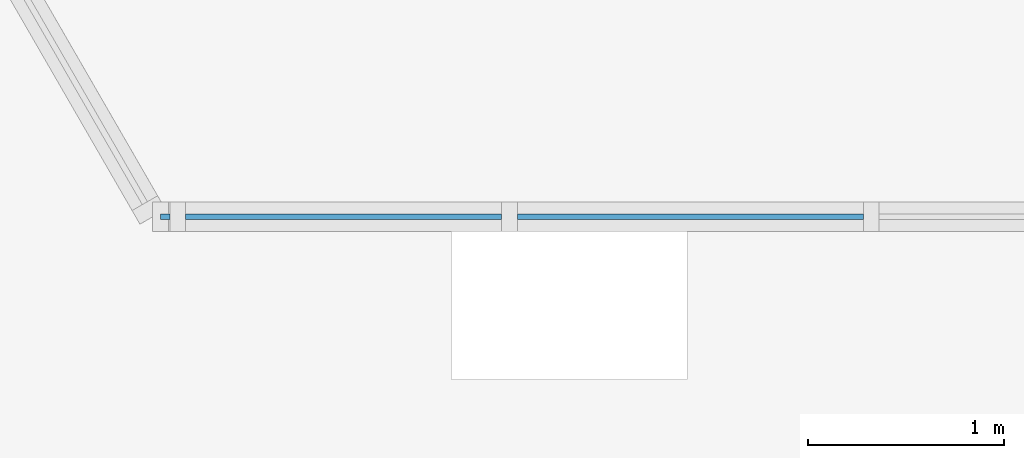
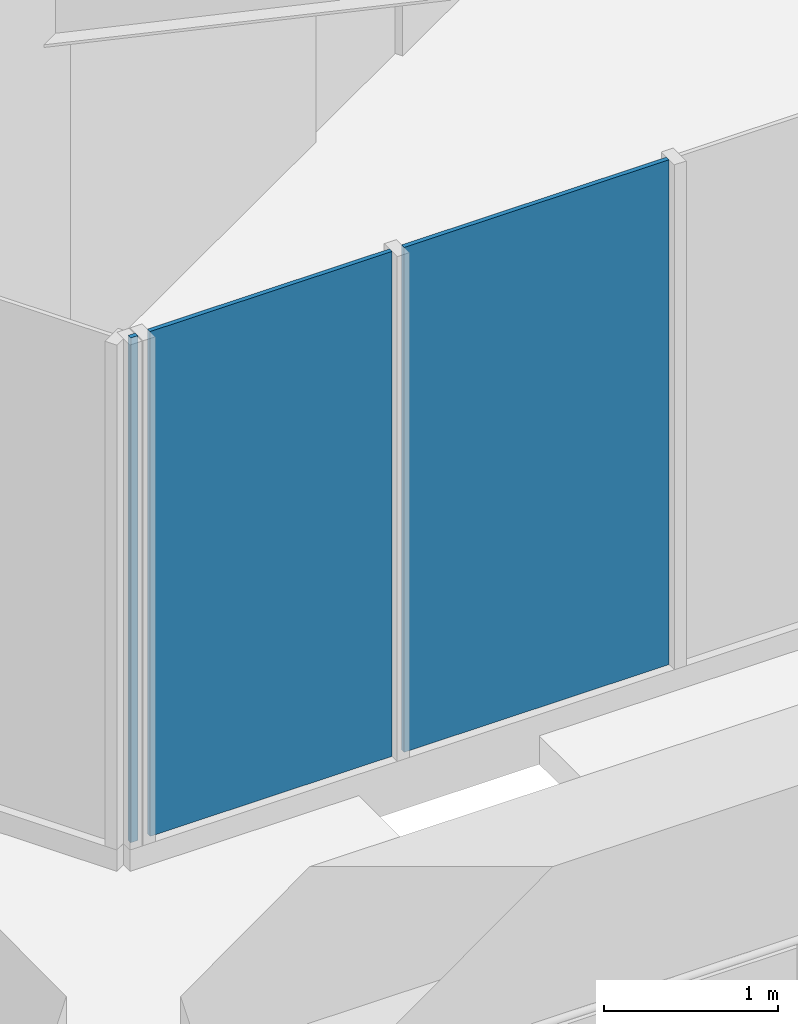
# One storey, part 14 of 35: 3 plates, 1 element without a shape of its own.
"""IFC4 building model written with IfcOpenShell, lengths in metres."""

import ifcopenshell
import ifcopenshell.guid

model = None  # the IFC model being written
_history = None  # IfcOwnerHistory: only IFC2X3 demands one
_inside = {}  # id of a spatial element -> (the spatial element, [elements in it])
_under = {}  # id of a project, library or spatial element -> (it, [spatial elements below it])
_declared = {}  # id of a project -> (the project, [libraries it declares])
_typed = {}  # id of a type object -> (the type object, [elements of that type])
_made_of = {}  # id of a material, layer set ... -> (it, [elements and type objects made of it])


def new_model(schema):
    """Start an empty IFC model of exactly this schema.

    Asked for "IFC4X3", IfcOpenShell would pick the latest addendum, in which some entities
    have other attributes; the version numbers below select the first issue.
    IFC2X3 requires an IfcOwnerHistory on every rooted entity: one is made here for all.
    """
    global model, _history
    if schema == "IFC4X3":
        model = ifcopenshell.file(schema_version=(4, 3, 0, 0))
    else:
        model = ifcopenshell.file(schema=schema)
    _inside.clear()
    _under.clear()
    _declared.clear()
    _typed.clear()
    _made_of.clear()
    _history = None
    if model.schema == "IFC2X3":
        org = make("IfcOrganization", Name="unknown")
        user = make(
            "IfcPersonAndOrganization",
            ThePerson=make("IfcPerson", FamilyName="unknown"),
            TheOrganization=org,
        )
        app = make(
            "IfcApplication",
            ApplicationDeveloper=org,
            Version="unknown",
            ApplicationFullName="unknown",
            ApplicationIdentifier="unknown",
        )
        _history = make(
            "IfcOwnerHistory",
            OwningUser=user,
            OwningApplication=app,
            ChangeAction="ADDED",
            CreationDate=0,
        )
    return model


def make(cls, **values):
    """One entity of the class cls with the attributes given. An attribute that is None is left unset."""
    return model.create_entity(
        cls, **{name: value for name, value in values.items() if value is not None}
    )


def rooted(cls, **values):
    """An entity with a GlobalId (a new one), such as an element, a storey or a relation."""
    return make(cls, GlobalId=ifcopenshell.guid.new(), OwnerHistory=_history, **values)


def si_unit(unit_type, name, prefix=None):
    """IfcSIUnit, for example si_unit("LENGTHUNIT", "METRE", prefix="MILLI")."""
    return make("IfcSIUnit", UnitType=unit_type, Prefix=prefix, Name=name)


def assignment(units):
    """IfcUnitAssignment: the units of a project."""
    return None if units is None else make("IfcUnitAssignment", Units=units)


def point(xyz):
    """IfcCartesianPoint."""
    return None if xyz is None else make("IfcCartesianPoint", Coordinates=xyz)


def direction(xyz):
    """IfcDirection."""
    return None if xyz is None else make("IfcDirection", DirectionRatios=xyz)


def frame(location, z_axis=None, x_axis=None):
    """IfcAxis2Placement3D, a coordinate frame: its origin and axes. An axis left out is left unset."""
    return make(
        "IfcAxis2Placement3D",
        Location=point(location),
        Axis=direction(z_axis),
        RefDirection=direction(x_axis),
    )


def origin():
    """The frame at (0, 0, 0) with its axes left unset."""
    return frame((0.0, 0.0, 0.0))


def place(relative_to, where):
    """IfcLocalPlacement: puts the frame where relative to a parent placement (None: the world)."""
    return make(
        "IfcLocalPlacement", PlacementRelTo=relative_to, RelativePlacement=where
    )


def context(
    kind, dimensions, precision=None, world=None, true_north=None, identifier=None
):
    """IfcGeometricRepresentationContext, for example the 3D "Model" context."""
    return make(
        "IfcGeometricRepresentationContext",
        ContextIdentifier=identifier,
        ContextType=kind,
        CoordinateSpaceDimension=dimensions,
        Precision=precision,
        WorldCoordinateSystem=world,
        TrueNorth=true_north,
    )


def subcontext(parent, identifier, kind, view, scale=None):
    """IfcGeometricRepresentationSubContext, for example "Body" below "Model"."""
    return make(
        "IfcGeometricRepresentationSubContext",
        ContextIdentifier=identifier,
        ContextType=kind,
        ParentContext=parent,
        TargetScale=scale,
        TargetView=view,
    )


def project(units=None, contexts=None):
    """IfcProject with its units and contexts."""
    return rooted(
        "IfcProject",
        Name="project",
        RepresentationContexts=contexts,
        UnitsInContext=assignment(units),
    )


def spatial(cls, under=None, at=None, **own):
    """A site, building, storey or space (cls), placed at a placement, below another one or the project."""
    s = rooted(cls, ObjectPlacement=at, **own)
    if under is not None:
        _under.setdefault(under.id(), (under, []))[1].append(s)
    return s


def polyline(points):
    """IfcPolyline through the points."""
    return make("IfcPolyline", Points=[point(p) for p in points])


def outline(outer, holes=None, kind="AREA"):
    """IfcArbitraryClosedProfileDef: a profile drawn as a closed curve; with holes, ...WithVoids."""
    if holes is None:
        return make("IfcArbitraryClosedProfileDef", ProfileType=kind, OuterCurve=outer)
    return make(
        "IfcArbitraryProfileDefWithVoids",
        ProfileType=kind,
        OuterCurve=outer,
        InnerCurves=holes,
    )


def extrude(swept, where, along, depth):
    """IfcExtrudedAreaSolid: the profile swept, set in the frame where, extruded along a direction by depth."""
    return make(
        "IfcExtrudedAreaSolid",
        SweptArea=swept,
        Position=where,
        ExtrudedDirection=direction(along),
        Depth=depth,
    )


def shape(context_of_items, identifier, shape_type, items):
    """IfcShapeRepresentation: the items that make up one representation, for example the "Body"."""
    return make(
        "IfcShapeRepresentation",
        ContextOfItems=context_of_items,
        RepresentationIdentifier=identifier,
        RepresentationType=shape_type,
        Items=items,
    )


def material(Name=None, Category=None):
    """IfcMaterial."""
    return make("IfcMaterial", Name=Name, Category=Category)


def layer(
    of_material, thickness, ventilated=None, Name=None, Category=None, Priority=None
):
    """IfcMaterialLayer: one layer of a wall or slab, of a material (None: an air gap)."""
    return make(
        "IfcMaterialLayer",
        Material=of_material,
        LayerThickness=thickness,
        IsVentilated=ventilated,
        Name=Name,
        Category=Category,
        Priority=Priority,
    )


def layer_set(layers, Name=None):
    """IfcMaterialLayerSet."""
    return make("IfcMaterialLayerSet", MaterialLayers=layers, LayerSetName=Name)


def made_of(thing, what):
    """Note that an element or type object is made of a material, layer set ...; save() writes the relation."""
    if what is not None:
        _made_of.setdefault(what.id(), (what, []))[1].append(thing)
    return thing


def type_object(cls, material=None, **own):
    """A type object (cls), such as IfcWallType, which elements share."""
    return made_of(rooted(cls, **own), material)


def element(
    cls,
    number,
    at=None,
    inside=None,
    cuts=None,
    type_object=None,
    material=None,
    context=None,
    identifier="Body",
    shape_type=None,
    held_by="IfcProductDefinitionShape",
    body=None,
    shapes=None,
    **own,
):
    """One element of the class cls, such as IfcWall. Its Tag is "e" and its number.

    at: its placement. inside: the storey or other place that contains it. cuts: it is an
    opening in that element (IfcRelVoidsElement). A single representation is given by context,
    identifier, shape_type and body (its items); several are given by shapes. held_by: the class
    of the entity that holds the representations. save() writes the other relations.
    """
    e = rooted(cls, Tag="e%d" % number, ObjectPlacement=at, **own)
    if body is not None:
        shapes = [shape(context, identifier, shape_type, body)]
    if shapes is not None:
        e.Representation = make(held_by, Representations=shapes)
    if inside is not None:
        _inside.setdefault(inside.id(), (inside, []))[1].append(e)
    if cuts is not None:
        rooted(
            "IfcRelVoidsElement", RelatingBuildingElement=cuts, RelatedOpeningElement=e
        )
    if type_object is not None:
        _typed.setdefault(type_object.id(), (type_object, []))[1].append(e)
    return made_of(e, material)


def aggregate(whole, parts):
    """IfcRelAggregates: a whole, such as a stair, and the parts it consists of."""
    return rooted("IfcRelAggregates", RelatingObject=whole, RelatedObjects=parts)


def save(model, path):
    """Write the relations noted so far, then the file.

    IfcRelAggregates (storeys below a building ...), IfcRelContainedInSpatialStructure (elements
    in a storey), IfcRelDefinesByType, IfcRelAssociatesMaterial and IfcRelDeclares: one each for
    every whole, place, type object, material and project.
    """
    for whole, parts in _under.values():
        aggregate(whole, parts)
    for where, things in _inside.values():
        rooted(
            "IfcRelContainedInSpatialStructure",
            RelatedElements=things,
            RelatingStructure=where,
        )
    for kind, things in _typed.values():
        rooted("IfcRelDefinesByType", RelatedObjects=things, RelatingType=kind)
    for what, things in _made_of.values():
        rooted("IfcRelAssociatesMaterial", RelatedObjects=things, RelatingMaterial=what)
    for by, libraries in _declared.values():
        rooted("IfcRelDeclares", RelatingContext=by, RelatedDefinitions=libraries)
    model.write(path)


model = new_model("IFC4")

# Units and contexts
model_context = context("Model", 3, precision=1e-05, world=origin(), true_north=direction((0.0, 1.0)))
body_context = subcontext(model_context, "Body", "Model", "MODEL_VIEW")
ifc_project = project(units=[si_unit("LENGTHUNIT", "METRE"), si_unit("AREAUNIT", "SQUARE_METRE"), si_unit("VOLUMEUNIT", "CUBIC_METRE"), si_unit("PLANEANGLEUNIT", "RADIAN"), si_unit("MASSUNIT", "GRAM", prefix="KILO")], contexts=[model_context])

# Site, building, storey
site_placement = place(None, origin())
site = spatial("IfcSite", under=ifc_project, at=site_placement, CompositionType="ELEMENT")
building_placement = place(site_placement, origin())
building = spatial("IfcBuilding", under=site, at=building_placement, Name="Firuza Gate Tower and Library", CompositionType="ELEMENT")
storey_placement = place(building_placement, frame((0.0, 0.0, 159.699951171875)))
storey = spatial("IfcBuildingStorey", under=building, at=storey_placement, Name="L36", CompositionType="ELEMENT", Elevation=159.699951171875)

# Curtain wall, plates
ifc_material_1 = material(Name="Aluminium 6063-T6", Category="aluminium")
ifc_layer_1 = layer(ifc_material_1, 0.14990234375)
ifc_layer_set_1 = layer_set([ifc_layer_1], Name="Unitised curtain wall, hotel")
curtain_wall_type = type_object("IfcCurtainWallType", Name="Unitised curtain wall, hotel", PredefinedType="NOTDEFINED", material=ifc_layer_set_1)
curtain_wall_placement = place(storey_placement, origin())
curtain_wall = element("IfcCurtainWall", 1, at=curtain_wall_placement, inside=storey, type_object=curtain_wall_type, Name="CW2 L36 S face", PredefinedType="NOTDEFINED")
ifc_material_2 = material(Name="Fritted glass", Category="glass")
ifc_layer_2 = layer(ifc_material_2, 0.030029296875)
ifc_layer_set_2 = layer_set([ifc_layer_2], Name="Fritted glass unit, hotel")
plate_type_1 = type_object("IfcPlateType", Name="Fritted glass unit, hotel", PredefinedType="CURTAIN_PANEL", material=ifc_layer_set_2)
plate_1_placement = place(storey_placement, frame((47.962890625, 55.071044921875, 0.150146484375), z_axis=(0.0, -1.0, 0.0), x_axis=(1.0, 0.0, 0.0)))
plate_1 = element("IfcPlate", 2, at=plate_1_placement, type_object=plate_type_1, Name="Glass unit", PredefinedType="CURTAIN_PANEL", context=body_context, shape_type="SweptSolid", body=[
    extrude(outline(polyline([(0.0, 0.0), (1.609375, 0.0), (1.609375, 3.5498046875), (0.0, 3.5498046875), (0.0, 0.0)])), origin(), (0.0, 0.0, -1.0), 0.030029296875),
])
ifc_material_3 = material(Name="Glazed ceramic tile")
ifc_layer_3 = layer(ifc_material_3, 0.030029296875)
ifc_layer_set_3 = layer_set([ifc_layer_3], Name="Opaque ceramic panel, hotel")
plate_type_2 = type_object("IfcPlateType", Name="Opaque ceramic panel, hotel", PredefinedType="CURTAIN_PANEL", material=ifc_layer_set_3)
plate_2_placement = place(storey_placement, frame((47.834716796875, 55.071044921875, 0.150146484375), z_axis=(0.0, -1.0, 0.0), x_axis=(1.0, 0.0, 0.0)))
plate_2 = element("IfcPlate", 3, at=plate_2_placement, type_object=plate_type_2, Name="Opaque ceramic panel", PredefinedType="CURTAIN_PANEL", context=body_context, shape_type="SweptSolid", body=[
    extrude(outline(polyline([(0.0, 0.0), (0.048095703125, 0.0), (0.048095703125, 3.5498046875), (0.0, 3.5498046875), (0.0, 0.0)])), origin(), (0.0, 0.0, -1.0), 0.030029296875),
])
plate_3_placement = place(storey_placement, frame((49.65234375, 55.071044921875, 0.150146484375), z_axis=(0.0, -1.0, 0.0), x_axis=(1.0, 0.0, 0.0)))
plate_3 = element("IfcPlate", 4, at=plate_3_placement, type_object=plate_type_2, Name="Opaque ceramic panel", PredefinedType="CURTAIN_PANEL", context=body_context, shape_type="SweptSolid", body=[
    extrude(outline(polyline([(0.0, 0.0), (1.762451171875, 0.0), (1.762451171875, 3.5498046875), (0.0, 3.5498046875), (0.0, 0.0)])), origin(), (0.0, 0.0, -1.0), 0.030029296875),
])
aggregate(curtain_wall, [plate_2, plate_1, plate_3])

save(model, "model.ifc")
